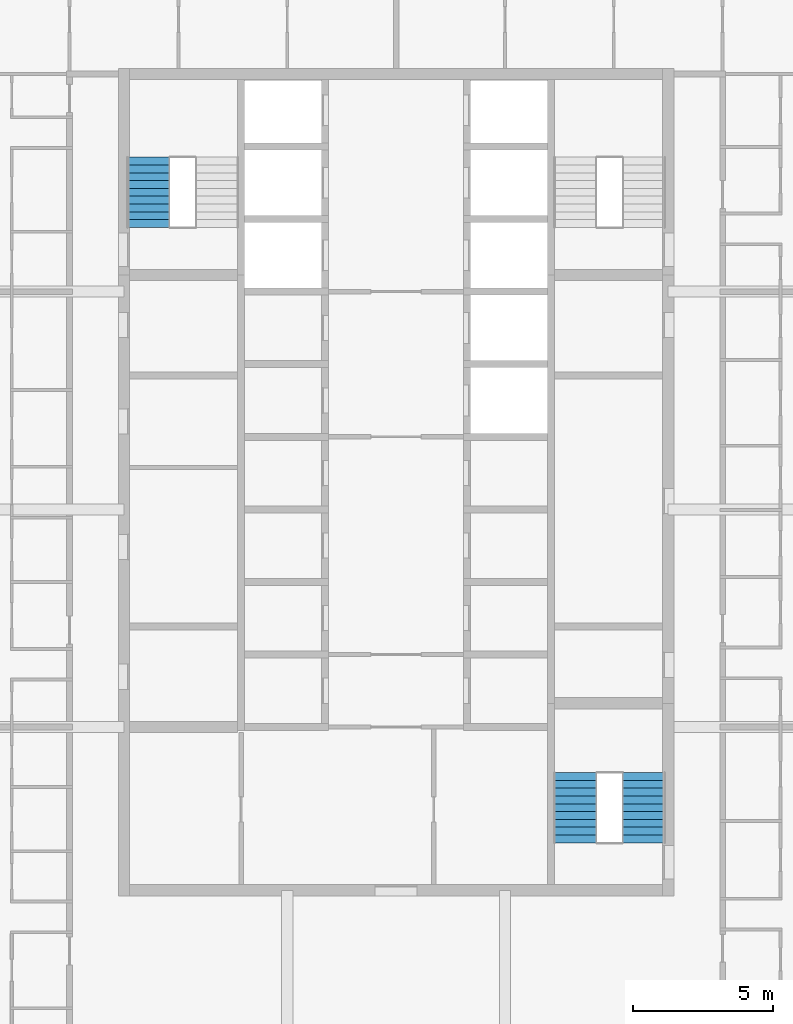
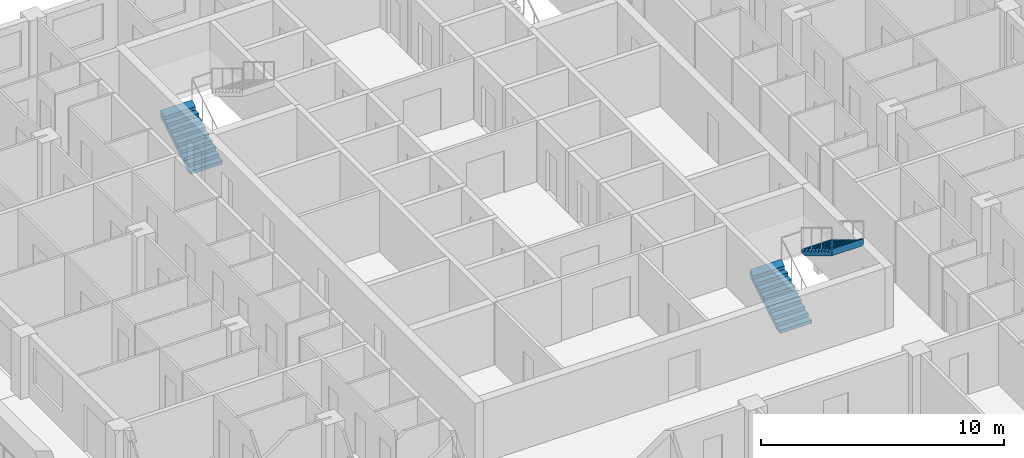
# One storey, part 13 of 16: 3 stair flights, 2 elements without a shape of their own.
"""IFC4 building model written with IfcOpenShell, lengths in metres."""

import ifcopenshell
import ifcopenshell.guid

model = None  # the IFC model being written
_history = None  # IfcOwnerHistory: only IFC2X3 demands one
_inside = {}  # id of a spatial element -> (the spatial element, [elements in it])
_under = {}  # id of a project, library or spatial element -> (it, [spatial elements below it])
_declared = {}  # id of a project -> (the project, [libraries it declares])
_typed = {}  # id of a type object -> (the type object, [elements of that type])
_made_of = {}  # id of a material, layer set ... -> (it, [elements and type objects made of it])


def new_model(schema):
    """Start an empty IFC model of exactly this schema.

    Asked for "IFC4X3", IfcOpenShell would pick the latest addendum, in which some entities
    have other attributes; the version numbers below select the first issue.
    IFC2X3 requires an IfcOwnerHistory on every rooted entity: one is made here for all.
    """
    global model, _history
    if schema == "IFC4X3":
        model = ifcopenshell.file(schema_version=(4, 3, 0, 0))
    else:
        model = ifcopenshell.file(schema=schema)
    _inside.clear()
    _under.clear()
    _declared.clear()
    _typed.clear()
    _made_of.clear()
    _history = None
    if model.schema == "IFC2X3":
        org = make("IfcOrganization", Name="unknown")
        user = make(
            "IfcPersonAndOrganization",
            ThePerson=make("IfcPerson", FamilyName="unknown"),
            TheOrganization=org,
        )
        app = make(
            "IfcApplication",
            ApplicationDeveloper=org,
            Version="unknown",
            ApplicationFullName="unknown",
            ApplicationIdentifier="unknown",
        )
        _history = make(
            "IfcOwnerHistory",
            OwningUser=user,
            OwningApplication=app,
            ChangeAction="ADDED",
            CreationDate=0,
        )
    return model


def make(cls, **values):
    """One entity of the class cls with the attributes given. An attribute that is None is left unset."""
    return model.create_entity(
        cls, **{name: value for name, value in values.items() if value is not None}
    )


def rooted(cls, **values):
    """An entity with a GlobalId (a new one), such as an element, a storey or a relation."""
    return make(cls, GlobalId=ifcopenshell.guid.new(), OwnerHistory=_history, **values)


def si_unit(unit_type, name, prefix=None):
    """IfcSIUnit, for example si_unit("LENGTHUNIT", "METRE", prefix="MILLI")."""
    return make("IfcSIUnit", UnitType=unit_type, Prefix=prefix, Name=name)


def assignment(units):
    """IfcUnitAssignment: the units of a project."""
    return None if units is None else make("IfcUnitAssignment", Units=units)


def point(xyz):
    """IfcCartesianPoint."""
    return None if xyz is None else make("IfcCartesianPoint", Coordinates=xyz)


def direction(xyz):
    """IfcDirection."""
    return None if xyz is None else make("IfcDirection", DirectionRatios=xyz)


def frame(location, z_axis=None, x_axis=None):
    """IfcAxis2Placement3D, a coordinate frame: its origin and axes. An axis left out is left unset."""
    return make(
        "IfcAxis2Placement3D",
        Location=point(location),
        Axis=direction(z_axis),
        RefDirection=direction(x_axis),
    )


def origin():
    """The frame at (0, 0, 0) with its axes left unset."""
    return frame((0.0, 0.0, 0.0))


def place(relative_to, where):
    """IfcLocalPlacement: puts the frame where relative to a parent placement (None: the world)."""
    return make(
        "IfcLocalPlacement", PlacementRelTo=relative_to, RelativePlacement=where
    )


def context(
    kind, dimensions, precision=None, world=None, true_north=None, identifier=None
):
    """IfcGeometricRepresentationContext, for example the 3D "Model" context."""
    return make(
        "IfcGeometricRepresentationContext",
        ContextIdentifier=identifier,
        ContextType=kind,
        CoordinateSpaceDimension=dimensions,
        Precision=precision,
        WorldCoordinateSystem=world,
        TrueNorth=true_north,
    )


def subcontext(parent, identifier, kind, view, scale=None):
    """IfcGeometricRepresentationSubContext, for example "Body" below "Model"."""
    return make(
        "IfcGeometricRepresentationSubContext",
        ContextIdentifier=identifier,
        ContextType=kind,
        ParentContext=parent,
        TargetScale=scale,
        TargetView=view,
    )


def project(units=None, contexts=None):
    """IfcProject with its units and contexts."""
    return rooted(
        "IfcProject",
        Name="project",
        RepresentationContexts=contexts,
        UnitsInContext=assignment(units),
    )


def spatial(cls, under=None, at=None, **own):
    """A site, building, storey or space (cls), placed at a placement, below another one or the project."""
    s = rooted(cls, ObjectPlacement=at, **own)
    if under is not None:
        _under.setdefault(under.id(), (under, []))[1].append(s)
    return s


def point_list(points):
    """IfcCartesianPointList2D or 3D."""
    cls = (
        "IfcCartesianPointList2D" if len(points[0]) == 2 else "IfcCartesianPointList3D"
    )
    return make(cls, CoordList=points)


def triangles(points, corners, closed=None, point_numbers=None):
    """IfcTriangulatedFaceSet: each triangle names its three corners, points numbered from 1."""
    return make(
        "IfcTriangulatedFaceSet",
        Coordinates=point_list(points),
        Closed=closed,
        CoordIndex=corners,
        PnIndex=point_numbers,
    )


def shape(context_of_items, identifier, shape_type, items):
    """IfcShapeRepresentation: the items that make up one representation, for example the "Body"."""
    return make(
        "IfcShapeRepresentation",
        ContextOfItems=context_of_items,
        RepresentationIdentifier=identifier,
        RepresentationType=shape_type,
        Items=items,
    )


def material(Name=None, Category=None):
    """IfcMaterial."""
    return make("IfcMaterial", Name=Name, Category=Category)


def made_of(thing, what):
    """Note that an element or type object is made of a material, layer set ...; save() writes the relation."""
    if what is not None:
        _made_of.setdefault(what.id(), (what, []))[1].append(thing)
    return thing


def type_object(cls, material=None, **own):
    """A type object (cls), such as IfcWallType, which elements share."""
    return made_of(rooted(cls, **own), material)


def element(
    cls,
    number,
    at=None,
    inside=None,
    cuts=None,
    type_object=None,
    material=None,
    context=None,
    identifier="Body",
    shape_type=None,
    held_by="IfcProductDefinitionShape",
    body=None,
    shapes=None,
    **own,
):
    """One element of the class cls, such as IfcWall. Its Tag is "e" and its number.

    at: its placement. inside: the storey or other place that contains it. cuts: it is an
    opening in that element (IfcRelVoidsElement). A single representation is given by context,
    identifier, shape_type and body (its items); several are given by shapes. held_by: the class
    of the entity that holds the representations. save() writes the other relations.
    """
    e = rooted(cls, Tag="e%d" % number, ObjectPlacement=at, **own)
    if body is not None:
        shapes = [shape(context, identifier, shape_type, body)]
    if shapes is not None:
        e.Representation = make(held_by, Representations=shapes)
    if inside is not None:
        _inside.setdefault(inside.id(), (inside, []))[1].append(e)
    if cuts is not None:
        rooted(
            "IfcRelVoidsElement", RelatingBuildingElement=cuts, RelatedOpeningElement=e
        )
    if type_object is not None:
        _typed.setdefault(type_object.id(), (type_object, []))[1].append(e)
    return made_of(e, material)


def aggregate(whole, parts):
    """IfcRelAggregates: a whole, such as a stair, and the parts it consists of."""
    return rooted("IfcRelAggregates", RelatingObject=whole, RelatedObjects=parts)


def save(model, path):
    """Write the relations noted so far, then the file.

    IfcRelAggregates (storeys below a building ...), IfcRelContainedInSpatialStructure (elements
    in a storey), IfcRelDefinesByType, IfcRelAssociatesMaterial and IfcRelDeclares: one each for
    every whole, place, type object, material and project.
    """
    for whole, parts in _under.values():
        aggregate(whole, parts)
    for where, things in _inside.values():
        rooted(
            "IfcRelContainedInSpatialStructure",
            RelatedElements=things,
            RelatingStructure=where,
        )
    for kind, things in _typed.values():
        rooted("IfcRelDefinesByType", RelatedObjects=things, RelatingType=kind)
    for what, things in _made_of.values():
        rooted("IfcRelAssociatesMaterial", RelatedObjects=things, RelatingMaterial=what)
    for by, libraries in _declared.values():
        rooted("IfcRelDeclares", RelatingContext=by, RelatedDefinitions=libraries)
    model.write(path)


model = new_model("IFC4")

# Units and contexts
model_context = context("Model", 3, precision=1e-05, world=origin(), true_north=direction((0.0, 1.0)))
body_context = subcontext(model_context, "Body", "Model", "MODEL_VIEW")
ifc_project = project(units=[si_unit("LENGTHUNIT", "METRE"), si_unit("AREAUNIT", "SQUARE_METRE"), si_unit("VOLUMEUNIT", "CUBIC_METRE"), si_unit("PLANEANGLEUNIT", "RADIAN"), si_unit("MASSUNIT", "GRAM", prefix="KILO")], contexts=[model_context])

# Site, building, storey
site_placement = place(None, origin())
site = spatial("IfcSite", under=ifc_project, at=site_placement, CompositionType="ELEMENT")
building_placement = place(site_placement, origin())
building = spatial("IfcBuilding", under=site, at=building_placement, Name="Ludao Terraces", CompositionType="ELEMENT")
storey_placement = place(building_placement, frame((0.0, 0.0, 238.10009765625)))
storey = spatial("IfcBuildingStorey", under=building, at=storey_placement, Name="L65", CompositionType="ELEMENT", Elevation=238.10009765625)

# Stair, stair flight
ifc_material = material(Name="Concrete C40", Category="concrete")
stair_type = type_object("IfcStairType", Name="INT Stair", PredefinedType="HALF_TURN_STAIR", material=ifc_material)
stair_1_placement = place(storey_placement, origin())
stair_1 = element("IfcStair", 1, at=stair_1_placement, inside=storey, type_object=stair_type, Name="EXIT STAIR 1", PredefinedType="HALF_TURN_STAIR")
stair_flight_type = type_object("IfcStairFlightType", Name="INT Stair flight", PredefinedType="STRAIGHT", material=ifc_material)
stair_flight_1_placement = place(storey_placement, frame((76.125, 79.0, 0.0), z_axis=(0.0, 0.0, 1.0), x_axis=(0.0, 1.0, 0.0)))
stair_flight_1 = element("IfcStairFlight", 2, at=stair_flight_1_placement, type_object=stair_flight_type, Name="ST1 flight 1", NumberOfRisers=10, NumberOfTreads=9, PredefinedType="STRAIGHT", RiserHeight=0.17, TreadLength=0.28, context=body_context, shape_type="Tessellation", body=[
    triangles([(0.0, -0.75, 0.0), (0.0, -0.5, 0.0), (0.0, -0.25, 0.0), (0.0, 0.0, 0.0), (0.0, 0.25, 0.0), (0.0, 0.5, 0.0), (0.0, 0.75, 0.0), (0.0, -0.75, 0.169921875), (0.0, -0.5, 0.169921875), (0.0, -0.25, 0.169921875), (0.0, 0.0, 0.169921875), (0.0, 0.25, 0.169921875), (0.0, 0.5, 0.169921875), (0.0, 0.75, 0.169921875), (0.280029296875, -0.75, 0.169921875), (0.280029296875, -0.5, 0.169921875), (0.280029296875, -0.25, 0.169921875), (0.280029296875, 0.0, 0.169921875), (0.280029296875, 0.25, 0.169921875), (0.280029296875, 0.5, 0.169921875), (0.280029296875, 0.75, 0.169921875), (0.280029296875, -0.75, 0.340087890625), (0.280029296875, -0.5, 0.340087890625), (0.280029296875, -0.25, 0.340087890625), (0.280029296875, 0.0, 0.340087890625), (0.280029296875, 0.25, 0.340087890625), (0.280029296875, 0.5, 0.340087890625), (0.280029296875, 0.75, 0.340087890625), (0.56005859375, -0.75, 0.340087890625), (0.56005859375, -0.5, 0.340087890625), (0.56005859375, -0.25, 0.340087890625), (0.56005859375, 0.0, 0.340087890625), (0.56005859375, 0.25, 0.340087890625), (0.56005859375, 0.5, 0.340087890625), (0.56005859375, 0.75, 0.340087890625), (0.56005859375, -0.75, 0.510009765625), (0.56005859375, -0.5, 0.510009765625), (0.56005859375, -0.25, 0.510009765625), (0.56005859375, 0.0, 0.510009765625), (0.56005859375, 0.25, 0.510009765625), (0.56005859375, 0.5, 0.510009765625), (0.56005859375, 0.75, 0.510009765625), (0.840087890625, -0.75, 0.510009765625), (0.840087890625, -0.5, 0.510009765625), (0.840087890625, -0.25, 0.510009765625), (0.840087890625, 0.0, 0.510009765625), (0.840087890625, 0.25, 0.510009765625), (0.840087890625, 0.5, 0.510009765625), (0.840087890625, 0.75, 0.510009765625), (0.840087890625, -0.75, 0.679931640625), (0.840087890625, -0.5, 0.679931640625), (0.840087890625, -0.25, 0.679931640625), (0.840087890625, 0.0, 0.679931640625), (0.840087890625, 0.25, 0.679931640625), (0.840087890625, 0.5, 0.679931640625), (0.840087890625, 0.75, 0.679931640625), (1.1201171875, -0.75, 0.679931640625), (1.1201171875, -0.5, 0.679931640625), (1.1201171875, -0.25, 0.679931640625), (1.1201171875, 0.0, 0.679931640625), (1.1201171875, 0.25, 0.679931640625), (1.1201171875, 0.5, 0.679931640625), (1.1201171875, 0.75, 0.679931640625), (1.1201171875, -0.75, 0.85009765625), (1.1201171875, -0.5, 0.85009765625), (1.1201171875, -0.25, 0.85009765625), (1.1201171875, 0.0, 0.85009765625), (1.1201171875, 0.25, 0.85009765625), (1.1201171875, 0.5, 0.85009765625), (1.1201171875, 0.75, 0.85009765625), (1.39990234375, -0.75, 0.85009765625), (1.39990234375, -0.5, 0.85009765625), (1.39990234375, -0.25, 0.85009765625), (1.39990234375, 0.0, 0.85009765625), (1.39990234375, 0.25, 0.85009765625), (1.39990234375, 0.5, 0.85009765625), (1.39990234375, 0.75, 0.85009765625), (1.39990234375, -0.75, 1.02001953125), (1.39990234375, -0.5, 1.02001953125), (1.39990234375, -0.25, 1.02001953125), (1.39990234375, 0.0, 1.02001953125), (1.39990234375, 0.25, 1.02001953125), (1.39990234375, 0.5, 1.02001953125), (1.39990234375, 0.75, 1.02001953125), (1.679931640625, -0.75, 1.02001953125), (1.679931640625, -0.5, 1.02001953125), (1.679931640625, -0.25, 1.02001953125), (1.679931640625, 0.0, 1.02001953125), (1.679931640625, 0.25, 1.02001953125), (1.679931640625, 0.5, 1.02001953125), (1.679931640625, 0.75, 1.02001953125), (1.679931640625, -0.75, 1.18994140625), (1.679931640625, -0.5, 1.18994140625), (1.679931640625, -0.25, 1.18994140625), (1.679931640625, 0.0, 1.18994140625), (1.679931640625, 0.25, 1.18994140625), (1.679931640625, 0.5, 1.18994140625), (1.679931640625, 0.75, 1.18994140625), (1.9599609375, -0.75, 1.18994140625), (1.9599609375, -0.5, 1.18994140625), (1.9599609375, -0.25, 1.18994140625), (1.9599609375, 0.0, 1.18994140625), (1.9599609375, 0.25, 1.18994140625), (1.9599609375, 0.5, 1.18994140625), (1.9599609375, 0.75, 1.18994140625), (1.9599609375, -0.75, 1.360107421875), (1.9599609375, -0.5, 1.360107421875), (1.9599609375, -0.25, 1.360107421875), (1.9599609375, 0.0, 1.360107421875), (1.9599609375, 0.25, 1.360107421875), (1.9599609375, 0.5, 1.360107421875), (1.9599609375, 0.75, 1.360107421875), (2.239990234375, -0.75, 1.360107421875), (2.239990234375, -0.5, 1.360107421875), (2.239990234375, -0.25, 1.360107421875), (2.239990234375, 0.0, 1.360107421875), (2.239990234375, 0.25, 1.360107421875), (2.239990234375, 0.5, 1.360107421875), (2.239990234375, 0.75, 1.360107421875), (2.239990234375, -0.75, 1.530029296875), (2.239990234375, -0.5, 1.530029296875), (2.239990234375, -0.25, 1.530029296875), (2.239990234375, 0.0, 1.530029296875), (2.239990234375, 0.25, 1.530029296875), (2.239990234375, 0.5, 1.530029296875), (2.239990234375, 0.75, 1.530029296875), (2.52001953125, -0.75, 1.699951171875), (2.52001953125, -0.5, 1.699951171875), (2.52001953125, -0.25, 1.699951171875), (2.52001953125, 0.0, 1.699951171875), (2.52001953125, 0.25, 1.699951171875), (2.52001953125, 0.5, 1.699951171875), (2.52001953125, 0.75, 1.699951171875), (2.52001953125, -0.75, 1.354736328125), (2.52001953125, -0.5, 1.354736328125), (2.52001953125, -0.25, 1.354736328125), (2.52001953125, 0.0, 1.354736328125), (2.52001953125, 0.25, 1.354736328125), (2.52001953125, 0.5, 1.354736328125), (2.52001953125, 0.75, 1.354736328125), (0.288818359375, -0.75, 0.0), (0.288818359375, -0.5, 0.0), (0.288818359375, -0.25, 0.0), (0.288818359375, 0.0, 0.0), (0.288818359375, 0.25, 0.0), (0.288818359375, 0.5, 0.0), (0.288818359375, 0.75, 0.0)], [[1, 141, 134], [7, 140, 147], [134, 127, 120], [140, 126, 133], [134, 120, 113], [140, 119, 126], [134, 113, 106], [140, 112, 119], [134, 106, 99], [140, 105, 112], [99, 92, 85], [105, 91, 98], [134, 99, 85], [140, 91, 105], [85, 78, 71], [91, 77, 84], [134, 85, 71], [140, 77, 91], [71, 64, 57], [77, 63, 70], [134, 71, 57], [140, 63, 77], [57, 50, 43], [63, 49, 56], [134, 57, 43], [140, 49, 63], [43, 36, 29], [49, 35, 42], [134, 43, 29], [140, 35, 49], [29, 22, 15], [35, 21, 28], [134, 29, 15], [140, 21, 35], [1, 134, 15], [7, 21, 140], [15, 8, 1], [21, 7, 14], [1, 9, 2], [1, 8, 9], [2, 10, 3], [2, 9, 10], [3, 11, 4], [3, 10, 11], [4, 12, 5], [4, 11, 12], [5, 13, 6], [5, 12, 13], [6, 14, 7], [6, 13, 14], [8, 16, 9], [8, 15, 16], [9, 17, 10], [9, 16, 17], [10, 18, 11], [10, 17, 18], [11, 19, 12], [11, 18, 19], [12, 20, 13], [12, 19, 20], [13, 21, 14], [13, 20, 21], [15, 23, 16], [15, 22, 23], [16, 24, 17], [16, 23, 24], [17, 25, 18], [17, 24, 25], [18, 26, 19], [18, 25, 26], [19, 27, 20], [19, 26, 27], [20, 28, 21], [20, 27, 28], [22, 30, 23], [22, 29, 30], [23, 31, 24], [23, 30, 31], [24, 32, 25], [24, 31, 32], [25, 33, 26], [25, 32, 33], [26, 34, 27], [26, 33, 34], [27, 35, 28], [27, 34, 35], [29, 37, 30], [29, 36, 37], [30, 38, 31], [30, 37, 38], [31, 39, 32], [31, 38, 39], [32, 40, 33], [32, 39, 40], [33, 41, 34], [33, 40, 41], [34, 42, 35], [34, 41, 42], [36, 44, 37], [36, 43, 44], [37, 45, 38], [37, 44, 45], [38, 46, 39], [38, 45, 46], [39, 47, 40], [39, 46, 47], [40, 48, 41], [40, 47, 48], [41, 49, 42], [41, 48, 49], [43, 51, 44], [43, 50, 51], [44, 52, 45], [44, 51, 52], [45, 53, 46], [45, 52, 53], [46, 54, 47], [46, 53, 54], [47, 55, 48], [47, 54, 55], [48, 56, 49], [48, 55, 56], [50, 58, 51], [50, 57, 58], [51, 59, 52], [51, 58, 59], [52, 60, 53], [52, 59, 60], [53, 61, 54], [53, 60, 61], [54, 62, 55], [54, 61, 62], [55, 63, 56], [55, 62, 63], [57, 65, 58], [57, 64, 65], [58, 66, 59], [58, 65, 66], [59, 67, 60], [59, 66, 67], [60, 68, 61], [60, 67, 68], [61, 69, 62], [61, 68, 69], [62, 70, 63], [62, 69, 70], [64, 72, 65], [64, 71, 72], [65, 73, 66], [65, 72, 73], [66, 74, 67], [66, 73, 74], [67, 75, 68], [67, 74, 75], [68, 76, 69], [68, 75, 76], [69, 77, 70], [69, 76, 77], [71, 79, 72], [71, 78, 79], [72, 80, 73], [72, 79, 80], [73, 81, 74], [73, 80, 81], [74, 82, 75], [74, 81, 82], [75, 83, 76], [75, 82, 83], [76, 84, 77], [76, 83, 84], [78, 86, 79], [78, 85, 86], [79, 87, 80], [79, 86, 87], [80, 88, 81], [80, 87, 88], [81, 89, 82], [81, 88, 89], [82, 90, 83], [82, 89, 90], [83, 91, 84], [83, 90, 91], [85, 93, 86], [85, 92, 93], [86, 94, 87], [86, 93, 94], [87, 95, 88], [87, 94, 95], [88, 96, 89], [88, 95, 96], [89, 97, 90], [89, 96, 97], [90, 98, 91], [90, 97, 98], [92, 100, 93], [92, 99, 100], [93, 101, 94], [93, 100, 101], [94, 102, 95], [94, 101, 102], [95, 103, 96], [95, 102, 103], [96, 104, 97], [96, 103, 104], [97, 105, 98], [97, 104, 105], [99, 107, 100], [99, 106, 107], [100, 108, 101], [100, 107, 108], [101, 109, 102], [101, 108, 109], [102, 110, 103], [102, 109, 110], [103, 111, 104], [103, 110, 111], [104, 112, 105], [104, 111, 112], [106, 114, 107], [106, 113, 114], [107, 115, 108], [107, 114, 115], [108, 116, 109], [108, 115, 116], [109, 117, 110], [109, 116, 117], [110, 118, 111], [110, 117, 118], [111, 119, 112], [111, 118, 119], [113, 121, 114], [113, 120, 121], [114, 122, 115], [114, 121, 122], [115, 123, 116], [115, 122, 123], [116, 124, 117], [116, 123, 124], [117, 125, 118], [117, 124, 125], [118, 126, 119], [118, 125, 126], [120, 128, 121], [120, 127, 128], [121, 129, 122], [121, 128, 129], [122, 130, 123], [122, 129, 130], [123, 131, 124], [123, 130, 131], [124, 132, 125], [124, 131, 132], [125, 133, 126], [125, 132, 133], [127, 135, 128], [127, 134, 135], [128, 136, 129], [128, 135, 136], [129, 137, 130], [129, 136, 137], [130, 138, 131], [130, 137, 138], [131, 139, 132], [131, 138, 139], [132, 140, 133], [132, 139, 140], [134, 142, 135], [134, 141, 142], [135, 143, 136], [135, 142, 143], [136, 144, 137], [136, 143, 144], [137, 145, 138], [137, 144, 145], [138, 146, 139], [138, 145, 146], [139, 147, 140], [139, 146, 147], [141, 2, 142], [141, 1, 2], [142, 3, 143], [142, 2, 3], [143, 4, 144], [143, 3, 4], [144, 5, 145], [144, 4, 5], [145, 6, 146], [145, 5, 6], [146, 7, 147], [146, 6, 7]], closed=True),
])
aggregate(stair_1, [stair_flight_1])

# Stair, stair flights
stair_2_placement = place(storey_placement, origin())
stair_2 = element("IfcStair", 3, at=stair_2_placement, inside=storey, type_object=stair_type, Name="EXIT STAIR 3", PredefinedType="HALF_TURN_STAIR")
stair_flight_2_placement = place(storey_placement, frame((91.425048828125, 56.949951171875, 0.0), z_axis=(0.0, 0.0, 1.0), x_axis=(0.0, 1.0, 0.0)))
stair_flight_2 = element("IfcStairFlight", 4, at=stair_flight_2_placement, type_object=stair_flight_type, Name="ST3 flight 1", NumberOfRisers=10, NumberOfTreads=9, PredefinedType="STRAIGHT", RiserHeight=0.17, TreadLength=0.28, context=body_context, shape_type="Tessellation", body=[
    triangles([(0.0, -0.75, 0.0), (0.0, -0.5, 0.0), (0.0, -0.25, 0.0), (0.0, 0.0, 0.0), (0.0, 0.25, 0.0), (0.0, 0.5, 0.0), (0.0, 0.75, 0.0), (0.0, -0.75, 0.169921875), (0.0, -0.5, 0.169921875), (0.0, -0.25, 0.169921875), (0.0, 0.0, 0.169921875), (0.0, 0.25, 0.169921875), (0.0, 0.5, 0.169921875), (0.0, 0.75, 0.169921875), (0.280029296875, -0.75, 0.169921875), (0.280029296875, -0.5, 0.169921875), (0.280029296875, -0.25, 0.169921875), (0.280029296875, 0.0, 0.169921875), (0.280029296875, 0.25, 0.169921875), (0.280029296875, 0.5, 0.169921875), (0.280029296875, 0.75, 0.169921875), (0.280029296875, -0.75, 0.340087890625), (0.280029296875, -0.5, 0.340087890625), (0.280029296875, -0.25, 0.340087890625), (0.280029296875, 0.0, 0.340087890625), (0.280029296875, 0.25, 0.340087890625), (0.280029296875, 0.5, 0.340087890625), (0.280029296875, 0.75, 0.340087890625), (0.56005859375, -0.75, 0.340087890625), (0.56005859375, -0.5, 0.340087890625), (0.56005859375, -0.25, 0.340087890625), (0.56005859375, 0.0, 0.340087890625), (0.56005859375, 0.25, 0.340087890625), (0.56005859375, 0.5, 0.340087890625), (0.56005859375, 0.75, 0.340087890625), (0.56005859375, -0.75, 0.510009765625), (0.56005859375, -0.5, 0.510009765625), (0.56005859375, -0.25, 0.510009765625), (0.56005859375, 0.0, 0.510009765625), (0.56005859375, 0.25, 0.510009765625), (0.56005859375, 0.5, 0.510009765625), (0.56005859375, 0.75, 0.510009765625), (0.840087890625, -0.75, 0.510009765625), (0.840087890625, -0.5, 0.510009765625), (0.840087890625, -0.25, 0.510009765625), (0.840087890625, 0.0, 0.510009765625), (0.840087890625, 0.25, 0.510009765625), (0.840087890625, 0.5, 0.510009765625), (0.840087890625, 0.75, 0.510009765625), (0.840087890625, -0.75, 0.679931640625), (0.840087890625, -0.5, 0.679931640625), (0.840087890625, -0.25, 0.679931640625), (0.840087890625, 0.0, 0.679931640625), (0.840087890625, 0.25, 0.679931640625), (0.840087890625, 0.5, 0.679931640625), (0.840087890625, 0.75, 0.679931640625), (1.1201171875, -0.75, 0.679931640625), (1.1201171875, -0.5, 0.679931640625), (1.1201171875, -0.25, 0.679931640625), (1.1201171875, 0.0, 0.679931640625), (1.1201171875, 0.25, 0.679931640625), (1.1201171875, 0.5, 0.679931640625), (1.1201171875, 0.75, 0.679931640625), (1.1201171875, -0.75, 0.85009765625), (1.1201171875, -0.5, 0.85009765625), (1.1201171875, -0.25, 0.85009765625), (1.1201171875, 0.0, 0.85009765625), (1.1201171875, 0.25, 0.85009765625), (1.1201171875, 0.5, 0.85009765625), (1.1201171875, 0.75, 0.85009765625), (1.39990234375, -0.75, 0.85009765625), (1.39990234375, -0.5, 0.85009765625), (1.39990234375, -0.25, 0.85009765625), (1.39990234375, 0.0, 0.85009765625), (1.39990234375, 0.25, 0.85009765625), (1.39990234375, 0.5, 0.85009765625), (1.39990234375, 0.75, 0.85009765625), (1.39990234375, -0.75, 1.02001953125), (1.39990234375, -0.5, 1.02001953125), (1.39990234375, -0.25, 1.02001953125), (1.39990234375, 0.0, 1.02001953125), (1.39990234375, 0.25, 1.02001953125), (1.39990234375, 0.5, 1.02001953125), (1.39990234375, 0.75, 1.02001953125), (1.679931640625, -0.75, 1.02001953125), (1.679931640625, -0.5, 1.02001953125), (1.679931640625, -0.25, 1.02001953125), (1.679931640625, 0.0, 1.02001953125), (1.679931640625, 0.25, 1.02001953125), (1.679931640625, 0.5, 1.02001953125), (1.679931640625, 0.75, 1.02001953125), (1.679931640625, -0.75, 1.18994140625), (1.679931640625, -0.5, 1.18994140625), (1.679931640625, -0.25, 1.18994140625), (1.679931640625, 0.0, 1.18994140625), (1.679931640625, 0.25, 1.18994140625), (1.679931640625, 0.5, 1.18994140625), (1.679931640625, 0.75, 1.18994140625), (1.9599609375, -0.75, 1.18994140625), (1.9599609375, -0.5, 1.18994140625), (1.9599609375, -0.25, 1.18994140625), (1.9599609375, 0.0, 1.18994140625), (1.9599609375, 0.25, 1.18994140625), (1.9599609375, 0.5, 1.18994140625), (1.9599609375, 0.75, 1.18994140625), (1.9599609375, -0.75, 1.360107421875), (1.9599609375, -0.5, 1.360107421875), (1.9599609375, -0.25, 1.360107421875), (1.9599609375, 0.0, 1.360107421875), (1.9599609375, 0.25, 1.360107421875), (1.9599609375, 0.5, 1.360107421875), (1.9599609375, 0.75, 1.360107421875), (2.239990234375, -0.75, 1.360107421875), (2.239990234375, -0.5, 1.360107421875), (2.239990234375, -0.25, 1.360107421875), (2.239990234375, 0.0, 1.360107421875), (2.239990234375, 0.25, 1.360107421875), (2.239990234375, 0.5, 1.360107421875), (2.239990234375, 0.75, 1.360107421875), (2.239990234375, -0.75, 1.530029296875), (2.239990234375, -0.5, 1.530029296875), (2.239990234375, -0.25, 1.530029296875), (2.239990234375, 0.0, 1.530029296875), (2.239990234375, 0.25, 1.530029296875), (2.239990234375, 0.5, 1.530029296875), (2.239990234375, 0.75, 1.530029296875), (2.52001953125, -0.75, 1.699951171875), (2.52001953125, -0.5, 1.699951171875), (2.52001953125, -0.25, 1.699951171875), (2.52001953125, 0.0, 1.699951171875), (2.52001953125, 0.25, 1.699951171875), (2.52001953125, 0.5, 1.699951171875), (2.52001953125, 0.75, 1.699951171875), (2.52001953125, -0.75, 1.354736328125), (2.52001953125, -0.5, 1.354736328125), (2.52001953125, -0.25, 1.354736328125), (2.52001953125, 0.0, 1.354736328125), (2.52001953125, 0.25, 1.354736328125), (2.52001953125, 0.5, 1.354736328125), (2.52001953125, 0.75, 1.354736328125), (0.288818359375, -0.75, 0.0), (0.288818359375, -0.5, 0.0), (0.288818359375, -0.25, 0.0), (0.288818359375, 0.0, 0.0), (0.288818359375, 0.25, 0.0), (0.288818359375, 0.5, 0.0), (0.288818359375, 0.75, 0.0)], [[1, 141, 134], [7, 140, 147], [134, 127, 120], [140, 126, 133], [134, 120, 113], [140, 119, 126], [134, 113, 106], [140, 112, 119], [134, 106, 99], [140, 105, 112], [99, 92, 85], [105, 91, 98], [134, 99, 85], [140, 91, 105], [85, 78, 71], [91, 77, 84], [134, 85, 71], [140, 77, 91], [71, 64, 57], [77, 63, 70], [134, 71, 57], [140, 63, 77], [57, 50, 43], [63, 49, 56], [134, 57, 43], [140, 49, 63], [43, 36, 29], [49, 35, 42], [134, 43, 29], [140, 35, 49], [29, 22, 15], [35, 21, 28], [134, 29, 15], [140, 21, 35], [1, 134, 15], [7, 21, 140], [15, 8, 1], [21, 7, 14], [1, 9, 2], [1, 8, 9], [2, 10, 3], [2, 9, 10], [3, 11, 4], [3, 10, 11], [4, 12, 5], [4, 11, 12], [5, 13, 6], [5, 12, 13], [6, 14, 7], [6, 13, 14], [8, 16, 9], [8, 15, 16], [9, 17, 10], [9, 16, 17], [10, 18, 11], [10, 17, 18], [11, 19, 12], [11, 18, 19], [12, 20, 13], [12, 19, 20], [13, 21, 14], [13, 20, 21], [15, 23, 16], [15, 22, 23], [16, 24, 17], [16, 23, 24], [17, 25, 18], [17, 24, 25], [18, 26, 19], [18, 25, 26], [19, 27, 20], [19, 26, 27], [20, 28, 21], [20, 27, 28], [22, 30, 23], [22, 29, 30], [23, 31, 24], [23, 30, 31], [24, 32, 25], [24, 31, 32], [25, 33, 26], [25, 32, 33], [26, 34, 27], [26, 33, 34], [27, 35, 28], [27, 34, 35], [29, 37, 30], [29, 36, 37], [30, 38, 31], [30, 37, 38], [31, 39, 32], [31, 38, 39], [32, 40, 33], [32, 39, 40], [33, 41, 34], [33, 40, 41], [34, 42, 35], [34, 41, 42], [36, 44, 37], [36, 43, 44], [37, 45, 38], [37, 44, 45], [38, 46, 39], [38, 45, 46], [39, 47, 40], [39, 46, 47], [40, 48, 41], [40, 47, 48], [41, 49, 42], [41, 48, 49], [43, 51, 44], [43, 50, 51], [44, 52, 45], [44, 51, 52], [45, 53, 46], [45, 52, 53], [46, 54, 47], [46, 53, 54], [47, 55, 48], [47, 54, 55], [48, 56, 49], [48, 55, 56], [50, 58, 51], [50, 57, 58], [51, 59, 52], [51, 58, 59], [52, 60, 53], [52, 59, 60], [53, 61, 54], [53, 60, 61], [54, 62, 55], [54, 61, 62], [55, 63, 56], [55, 62, 63], [57, 65, 58], [57, 64, 65], [58, 66, 59], [58, 65, 66], [59, 67, 60], [59, 66, 67], [60, 68, 61], [60, 67, 68], [61, 69, 62], [61, 68, 69], [62, 70, 63], [62, 69, 70], [64, 72, 65], [64, 71, 72], [65, 73, 66], [65, 72, 73], [66, 74, 67], [66, 73, 74], [67, 75, 68], [67, 74, 75], [68, 76, 69], [68, 75, 76], [69, 77, 70], [69, 76, 77], [71, 79, 72], [71, 78, 79], [72, 80, 73], [72, 79, 80], [73, 81, 74], [73, 80, 81], [74, 82, 75], [74, 81, 82], [75, 83, 76], [75, 82, 83], [76, 84, 77], [76, 83, 84], [78, 86, 79], [78, 85, 86], [79, 87, 80], [79, 86, 87], [80, 88, 81], [80, 87, 88], [81, 89, 82], [81, 88, 89], [82, 90, 83], [82, 89, 90], [83, 91, 84], [83, 90, 91], [85, 93, 86], [85, 92, 93], [86, 94, 87], [86, 93, 94], [87, 95, 88], [87, 94, 95], [88, 96, 89], [88, 95, 96], [89, 97, 90], [89, 96, 97], [90, 98, 91], [90, 97, 98], [92, 100, 93], [92, 99, 100], [93, 101, 94], [93, 100, 101], [94, 102, 95], [94, 101, 102], [95, 103, 96], [95, 102, 103], [96, 104, 97], [96, 103, 104], [97, 105, 98], [97, 104, 105], [99, 107, 100], [99, 106, 107], [100, 108, 101], [100, 107, 108], [101, 109, 102], [101, 108, 109], [102, 110, 103], [102, 109, 110], [103, 111, 104], [103, 110, 111], [104, 112, 105], [104, 111, 112], [106, 114, 107], [106, 113, 114], [107, 115, 108], [107, 114, 115], [108, 116, 109], [108, 115, 116], [109, 117, 110], [109, 116, 117], [110, 118, 111], [110, 117, 118], [111, 119, 112], [111, 118, 119], [113, 121, 114], [113, 120, 121], [114, 122, 115], [114, 121, 122], [115, 123, 116], [115, 122, 123], [116, 124, 117], [116, 123, 124], [117, 125, 118], [117, 124, 125], [118, 126, 119], [118, 125, 126], [120, 128, 121], [120, 127, 128], [121, 129, 122], [121, 128, 129], [122, 130, 123], [122, 129, 130], [123, 131, 124], [123, 130, 131], [124, 132, 125], [124, 131, 132], [125, 133, 126], [125, 132, 133], [127, 135, 128], [127, 134, 135], [128, 136, 129], [128, 135, 136], [129, 137, 130], [129, 136, 137], [130, 138, 131], [130, 137, 138], [131, 139, 132], [131, 138, 139], [132, 140, 133], [132, 139, 140], [134, 142, 135], [134, 141, 142], [135, 143, 136], [135, 142, 143], [136, 144, 137], [136, 143, 144], [137, 145, 138], [137, 144, 145], [138, 146, 139], [138, 145, 146], [139, 147, 140], [139, 146, 147], [141, 2, 142], [141, 1, 2], [142, 3, 143], [142, 2, 3], [143, 4, 144], [143, 3, 4], [144, 5, 145], [144, 4, 5], [145, 6, 146], [145, 5, 6], [146, 7, 147], [146, 6, 7]], closed=True),
])
stair_flight_3_placement = place(storey_placement, frame((93.875, 59.469970703125, 1.699951171875), z_axis=(0.0, 0.0, 1.0), x_axis=(0.0, -1.0, 0.0)))
stair_flight_3 = element("IfcStairFlight", 5, at=stair_flight_3_placement, type_object=stair_flight_type, Name="ST3 flight 2", NumberOfRisers=10, NumberOfTreads=9, PredefinedType="STRAIGHT", RiserHeight=0.17, TreadLength=0.28, context=body_context, shape_type="Tessellation", body=[
    triangles([(0.0, -0.75, 0.0), (0.0, -0.5, 0.0), (0.0, -0.25, 0.0), (0.0, 0.0, 0.0), (0.0, 0.25, 0.0), (0.0, 0.5, 0.0), (0.0, 0.75, 0.0), (0.0, -0.75, 0.169921875), (0.0, -0.5, 0.169921875), (0.0, -0.25, 0.169921875), (0.0, 0.0, 0.169921875), (0.0, 0.25, 0.169921875), (0.0, 0.5, 0.169921875), (0.0, 0.75, 0.169921875), (0.280029296875, -0.75, 0.169921875), (0.280029296875, -0.5, 0.169921875), (0.280029296875, -0.25, 0.169921875), (0.280029296875, 0.0, 0.169921875), (0.280029296875, 0.25, 0.169921875), (0.280029296875, 0.5, 0.169921875), (0.280029296875, 0.75, 0.169921875), (0.280029296875, -0.75, 0.340087890625), (0.280029296875, -0.5, 0.340087890625), (0.280029296875, -0.25, 0.340087890625), (0.280029296875, 0.0, 0.340087890625), (0.280029296875, 0.25, 0.340087890625), (0.280029296875, 0.5, 0.340087890625), (0.280029296875, 0.75, 0.340087890625), (0.56005859375, -0.75, 0.340087890625), (0.56005859375, -0.5, 0.340087890625), (0.56005859375, -0.25, 0.340087890625), (0.56005859375, 0.0, 0.340087890625), (0.56005859375, 0.25, 0.340087890625), (0.56005859375, 0.5, 0.340087890625), (0.56005859375, 0.75, 0.340087890625), (0.56005859375, -0.75, 0.510009765625), (0.56005859375, -0.5, 0.510009765625), (0.56005859375, -0.25, 0.510009765625), (0.56005859375, 0.0, 0.510009765625), (0.56005859375, 0.25, 0.510009765625), (0.56005859375, 0.5, 0.510009765625), (0.56005859375, 0.75, 0.510009765625), (0.840087890625, -0.75, 0.510009765625), (0.840087890625, -0.5, 0.510009765625), (0.840087890625, -0.25, 0.510009765625), (0.840087890625, 0.0, 0.510009765625), (0.840087890625, 0.25, 0.510009765625), (0.840087890625, 0.5, 0.510009765625), (0.840087890625, 0.75, 0.510009765625), (0.840087890625, -0.75, 0.679931640625), (0.840087890625, -0.5, 0.679931640625), (0.840087890625, -0.25, 0.679931640625), (0.840087890625, 0.0, 0.679931640625), (0.840087890625, 0.25, 0.679931640625), (0.840087890625, 0.5, 0.679931640625), (0.840087890625, 0.75, 0.679931640625), (1.1201171875, -0.75, 0.679931640625), (1.1201171875, -0.5, 0.679931640625), (1.1201171875, -0.25, 0.679931640625), (1.1201171875, 0.0, 0.679931640625), (1.1201171875, 0.25, 0.679931640625), (1.1201171875, 0.5, 0.679931640625), (1.1201171875, 0.75, 0.679931640625), (1.1201171875, -0.75, 0.85009765625), (1.1201171875, -0.5, 0.85009765625), (1.1201171875, -0.25, 0.85009765625), (1.1201171875, 0.0, 0.85009765625), (1.1201171875, 0.25, 0.85009765625), (1.1201171875, 0.5, 0.85009765625), (1.1201171875, 0.75, 0.85009765625), (1.39990234375, -0.75, 0.85009765625), (1.39990234375, -0.5, 0.85009765625), (1.39990234375, -0.25, 0.85009765625), (1.39990234375, 0.0, 0.85009765625), (1.39990234375, 0.25, 0.85009765625), (1.39990234375, 0.5, 0.85009765625), (1.39990234375, 0.75, 0.85009765625), (1.39990234375, -0.75, 1.02001953125), (1.39990234375, -0.5, 1.02001953125), (1.39990234375, -0.25, 1.02001953125), (1.39990234375, 0.0, 1.02001953125), (1.39990234375, 0.25, 1.02001953125), (1.39990234375, 0.5, 1.02001953125), (1.39990234375, 0.75, 1.02001953125), (1.679931640625, -0.75, 1.02001953125), (1.679931640625, -0.5, 1.02001953125), (1.679931640625, -0.25, 1.02001953125), (1.679931640625, 0.0, 1.02001953125), (1.679931640625, 0.25, 1.02001953125), (1.679931640625, 0.5, 1.02001953125), (1.679931640625, 0.75, 1.02001953125), (1.679931640625, -0.75, 1.18994140625), (1.679931640625, -0.5, 1.18994140625), (1.679931640625, -0.25, 1.18994140625), (1.679931640625, 0.0, 1.18994140625), (1.679931640625, 0.25, 1.18994140625), (1.679931640625, 0.5, 1.18994140625), (1.679931640625, 0.75, 1.18994140625), (1.9599609375, -0.75, 1.18994140625), (1.9599609375, -0.5, 1.18994140625), (1.9599609375, -0.25, 1.18994140625), (1.9599609375, 0.0, 1.18994140625), (1.9599609375, 0.25, 1.18994140625), (1.9599609375, 0.5, 1.18994140625), (1.9599609375, 0.75, 1.18994140625), (1.9599609375, -0.75, 1.360107421875), (1.9599609375, -0.5, 1.360107421875), (1.9599609375, -0.25, 1.360107421875), (1.9599609375, 0.0, 1.360107421875), (1.9599609375, 0.25, 1.360107421875), (1.9599609375, 0.5, 1.360107421875), (1.9599609375, 0.75, 1.360107421875), (2.239990234375, -0.75, 1.360107421875), (2.239990234375, -0.5, 1.360107421875), (2.239990234375, -0.25, 1.360107421875), (2.239990234375, 0.0, 1.360107421875), (2.239990234375, 0.25, 1.360107421875), (2.239990234375, 0.5, 1.360107421875), (2.239990234375, 0.75, 1.360107421875), (2.239990234375, -0.75, 1.530029296875), (2.239990234375, -0.5, 1.530029296875), (2.239990234375, -0.25, 1.530029296875), (2.239990234375, 0.0, 1.530029296875), (2.239990234375, 0.25, 1.530029296875), (2.239990234375, 0.5, 1.530029296875), (2.239990234375, 0.75, 1.530029296875), (2.52001953125, -0.75, 1.699951171875), (2.52001953125, -0.5, 1.699951171875), (2.52001953125, -0.25, 1.699951171875), (2.52001953125, 0.0, 1.699951171875), (2.52001953125, 0.25, 1.699951171875), (2.52001953125, 0.5, 1.699951171875), (2.52001953125, 0.75, 1.699951171875), (2.52001953125, -0.75, 1.354736328125), (2.52001953125, -0.5, 1.354736328125), (2.52001953125, -0.25, 1.354736328125), (2.52001953125, 0.0, 1.354736328125), (2.52001953125, 0.25, 1.354736328125), (2.52001953125, 0.5, 1.354736328125), (2.52001953125, 0.75, 1.354736328125), (0.288818359375, -0.75, 0.0), (0.288818359375, -0.5, 0.0), (0.288818359375, -0.25, 0.0), (0.288818359375, 0.0, 0.0), (0.288818359375, 0.25, 0.0), (0.288818359375, 0.5, 0.0), (0.288818359375, 0.75, 0.0)], [[1, 141, 134], [7, 140, 147], [134, 127, 120], [140, 126, 133], [134, 120, 113], [140, 119, 126], [134, 113, 106], [140, 112, 119], [134, 106, 99], [140, 105, 112], [99, 92, 85], [105, 91, 98], [134, 99, 85], [140, 91, 105], [85, 78, 71], [91, 77, 84], [134, 85, 71], [140, 77, 91], [71, 64, 57], [77, 63, 70], [134, 71, 57], [140, 63, 77], [57, 50, 43], [63, 49, 56], [134, 57, 43], [140, 49, 63], [43, 36, 29], [49, 35, 42], [134, 43, 29], [140, 35, 49], [29, 22, 15], [35, 21, 28], [134, 29, 15], [140, 21, 35], [1, 134, 15], [7, 21, 140], [15, 8, 1], [21, 7, 14], [1, 9, 2], [1, 8, 9], [2, 10, 3], [2, 9, 10], [3, 11, 4], [3, 10, 11], [4, 12, 5], [4, 11, 12], [5, 13, 6], [5, 12, 13], [6, 14, 7], [6, 13, 14], [8, 16, 9], [8, 15, 16], [9, 17, 10], [9, 16, 17], [10, 18, 11], [10, 17, 18], [11, 19, 12], [11, 18, 19], [12, 20, 13], [12, 19, 20], [13, 21, 14], [13, 20, 21], [15, 23, 16], [15, 22, 23], [16, 24, 17], [16, 23, 24], [17, 25, 18], [17, 24, 25], [18, 26, 19], [18, 25, 26], [19, 27, 20], [19, 26, 27], [20, 28, 21], [20, 27, 28], [22, 30, 23], [22, 29, 30], [23, 31, 24], [23, 30, 31], [24, 32, 25], [24, 31, 32], [25, 33, 26], [25, 32, 33], [26, 34, 27], [26, 33, 34], [27, 35, 28], [27, 34, 35], [29, 37, 30], [29, 36, 37], [30, 38, 31], [30, 37, 38], [31, 39, 32], [31, 38, 39], [32, 40, 33], [32, 39, 40], [33, 41, 34], [33, 40, 41], [34, 42, 35], [34, 41, 42], [36, 44, 37], [36, 43, 44], [37, 45, 38], [37, 44, 45], [38, 46, 39], [38, 45, 46], [39, 47, 40], [39, 46, 47], [40, 48, 41], [40, 47, 48], [41, 49, 42], [41, 48, 49], [43, 51, 44], [43, 50, 51], [44, 52, 45], [44, 51, 52], [45, 53, 46], [45, 52, 53], [46, 54, 47], [46, 53, 54], [47, 55, 48], [47, 54, 55], [48, 56, 49], [48, 55, 56], [50, 58, 51], [50, 57, 58], [51, 59, 52], [51, 58, 59], [52, 60, 53], [52, 59, 60], [53, 61, 54], [53, 60, 61], [54, 62, 55], [54, 61, 62], [55, 63, 56], [55, 62, 63], [57, 65, 58], [57, 64, 65], [58, 66, 59], [58, 65, 66], [59, 67, 60], [59, 66, 67], [60, 68, 61], [60, 67, 68], [61, 69, 62], [61, 68, 69], [62, 70, 63], [62, 69, 70], [64, 72, 65], [64, 71, 72], [65, 73, 66], [65, 72, 73], [66, 74, 67], [66, 73, 74], [67, 75, 68], [67, 74, 75], [68, 76, 69], [68, 75, 76], [69, 77, 70], [69, 76, 77], [71, 79, 72], [71, 78, 79], [72, 80, 73], [72, 79, 80], [73, 81, 74], [73, 80, 81], [74, 82, 75], [74, 81, 82], [75, 83, 76], [75, 82, 83], [76, 84, 77], [76, 83, 84], [78, 86, 79], [78, 85, 86], [79, 87, 80], [79, 86, 87], [80, 88, 81], [80, 87, 88], [81, 89, 82], [81, 88, 89], [82, 90, 83], [82, 89, 90], [83, 91, 84], [83, 90, 91], [85, 93, 86], [85, 92, 93], [86, 94, 87], [86, 93, 94], [87, 95, 88], [87, 94, 95], [88, 96, 89], [88, 95, 96], [89, 97, 90], [89, 96, 97], [90, 98, 91], [90, 97, 98], [92, 100, 93], [92, 99, 100], [93, 101, 94], [93, 100, 101], [94, 102, 95], [94, 101, 102], [95, 103, 96], [95, 102, 103], [96, 104, 97], [96, 103, 104], [97, 105, 98], [97, 104, 105], [99, 107, 100], [99, 106, 107], [100, 108, 101], [100, 107, 108], [101, 109, 102], [101, 108, 109], [102, 110, 103], [102, 109, 110], [103, 111, 104], [103, 110, 111], [104, 112, 105], [104, 111, 112], [106, 114, 107], [106, 113, 114], [107, 115, 108], [107, 114, 115], [108, 116, 109], [108, 115, 116], [109, 117, 110], [109, 116, 117], [110, 118, 111], [110, 117, 118], [111, 119, 112], [111, 118, 119], [113, 121, 114], [113, 120, 121], [114, 122, 115], [114, 121, 122], [115, 123, 116], [115, 122, 123], [116, 124, 117], [116, 123, 124], [117, 125, 118], [117, 124, 125], [118, 126, 119], [118, 125, 126], [120, 128, 121], [120, 127, 128], [121, 129, 122], [121, 128, 129], [122, 130, 123], [122, 129, 130], [123, 131, 124], [123, 130, 131], [124, 132, 125], [124, 131, 132], [125, 133, 126], [125, 132, 133], [127, 135, 128], [127, 134, 135], [128, 136, 129], [128, 135, 136], [129, 137, 130], [129, 136, 137], [130, 138, 131], [130, 137, 138], [131, 139, 132], [131, 138, 139], [132, 140, 133], [132, 139, 140], [134, 142, 135], [134, 141, 142], [135, 143, 136], [135, 142, 143], [136, 144, 137], [136, 143, 144], [137, 145, 138], [137, 144, 145], [138, 146, 139], [138, 145, 146], [139, 147, 140], [139, 146, 147], [141, 2, 142], [141, 1, 2], [142, 3, 143], [142, 2, 3], [143, 4, 144], [143, 3, 4], [144, 5, 145], [144, 4, 5], [145, 6, 146], [145, 5, 6], [146, 7, 147], [146, 6, 7]], closed=True),
])
aggregate(stair_2, [stair_flight_2, stair_flight_3])

save(model, "model.ifc")
